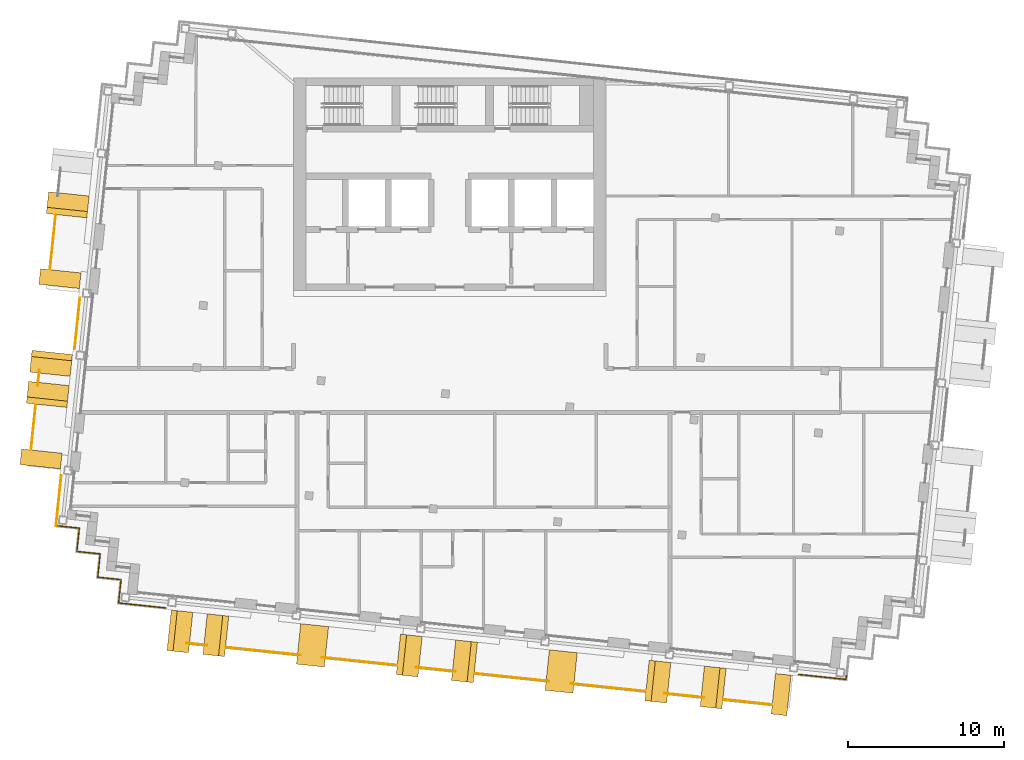
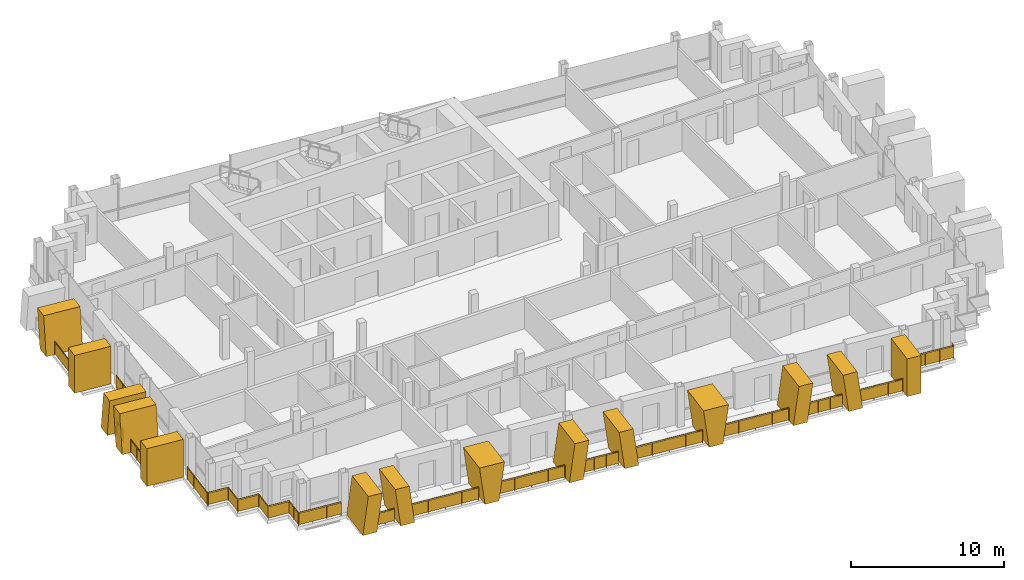
# One storey, part 13 of 16: 15 railings, 14 shading devices.
"""IFC4 building model written with IfcOpenShell, lengths in metres."""

import ifcopenshell
import ifcopenshell.guid

model = None  # the IFC model being written
_history = None  # IfcOwnerHistory: only IFC2X3 demands one
_inside = {}  # id of a spatial element -> (the spatial element, [elements in it])
_under = {}  # id of a project, library or spatial element -> (it, [spatial elements below it])
_declared = {}  # id of a project -> (the project, [libraries it declares])
_typed = {}  # id of a type object -> (the type object, [elements of that type])
_made_of = {}  # id of a material, layer set ... -> (it, [elements and type objects made of it])


def new_model(schema):
    """Start an empty IFC model of exactly this schema.

    Asked for "IFC4X3", IfcOpenShell would pick the latest addendum, in which some entities
    have other attributes; the version numbers below select the first issue.
    IFC2X3 requires an IfcOwnerHistory on every rooted entity: one is made here for all.
    """
    global model, _history
    if schema == "IFC4X3":
        model = ifcopenshell.file(schema_version=(4, 3, 0, 0))
    else:
        model = ifcopenshell.file(schema=schema)
    _inside.clear()
    _under.clear()
    _declared.clear()
    _typed.clear()
    _made_of.clear()
    _history = None
    if model.schema == "IFC2X3":
        org = make("IfcOrganization", Name="unknown")
        user = make(
            "IfcPersonAndOrganization",
            ThePerson=make("IfcPerson", FamilyName="unknown"),
            TheOrganization=org,
        )
        app = make(
            "IfcApplication",
            ApplicationDeveloper=org,
            Version="unknown",
            ApplicationFullName="unknown",
            ApplicationIdentifier="unknown",
        )
        _history = make(
            "IfcOwnerHistory",
            OwningUser=user,
            OwningApplication=app,
            ChangeAction="ADDED",
            CreationDate=0,
        )
    return model


def make(cls, **values):
    """One entity of the class cls with the attributes given. An attribute that is None is left unset."""
    return model.create_entity(
        cls, **{name: value for name, value in values.items() if value is not None}
    )


def rooted(cls, **values):
    """An entity with a GlobalId (a new one), such as an element, a storey or a relation."""
    return make(cls, GlobalId=ifcopenshell.guid.new(), OwnerHistory=_history, **values)


def si_unit(unit_type, name, prefix=None):
    """IfcSIUnit, for example si_unit("LENGTHUNIT", "METRE", prefix="MILLI")."""
    return make("IfcSIUnit", UnitType=unit_type, Prefix=prefix, Name=name)


def assignment(units):
    """IfcUnitAssignment: the units of a project."""
    return None if units is None else make("IfcUnitAssignment", Units=units)


def point(xyz):
    """IfcCartesianPoint."""
    return None if xyz is None else make("IfcCartesianPoint", Coordinates=xyz)


def direction(xyz):
    """IfcDirection."""
    return None if xyz is None else make("IfcDirection", DirectionRatios=xyz)


def frame(location, z_axis=None, x_axis=None):
    """IfcAxis2Placement3D, a coordinate frame: its origin and axes. An axis left out is left unset."""
    return make(
        "IfcAxis2Placement3D",
        Location=point(location),
        Axis=direction(z_axis),
        RefDirection=direction(x_axis),
    )


def frame_2d(location, x_axis=None):
    """IfcAxis2Placement2D, a coordinate frame in the plane: its origin and x axis."""
    return make(
        "IfcAxis2Placement2D", Location=point(location), RefDirection=direction(x_axis)
    )


def origin():
    """The frame at (0, 0, 0) with its axes left unset."""
    return frame((0.0, 0.0, 0.0))


def origin_2d():
    """The frame at (0, 0) in the plane with its x axis left unset."""
    return frame_2d((0.0, 0.0))


def place(relative_to, where):
    """IfcLocalPlacement: puts the frame where relative to a parent placement (None: the world)."""
    return make(
        "IfcLocalPlacement", PlacementRelTo=relative_to, RelativePlacement=where
    )


def context(
    kind, dimensions, precision=None, world=None, true_north=None, identifier=None
):
    """IfcGeometricRepresentationContext, for example the 3D "Model" context."""
    return make(
        "IfcGeometricRepresentationContext",
        ContextIdentifier=identifier,
        ContextType=kind,
        CoordinateSpaceDimension=dimensions,
        Precision=precision,
        WorldCoordinateSystem=world,
        TrueNorth=true_north,
    )


def subcontext(parent, identifier, kind, view, scale=None):
    """IfcGeometricRepresentationSubContext, for example "Body" below "Model"."""
    return make(
        "IfcGeometricRepresentationSubContext",
        ContextIdentifier=identifier,
        ContextType=kind,
        ParentContext=parent,
        TargetScale=scale,
        TargetView=view,
    )


def project(units=None, contexts=None):
    """IfcProject with its units and contexts."""
    return rooted(
        "IfcProject",
        Name="project",
        RepresentationContexts=contexts,
        UnitsInContext=assignment(units),
    )


def spatial(cls, under=None, at=None, **own):
    """A site, building, storey or space (cls), placed at a placement, below another one or the project."""
    s = rooted(cls, ObjectPlacement=at, **own)
    if under is not None:
        _under.setdefault(under.id(), (under, []))[1].append(s)
    return s


def polyline(points):
    """IfcPolyline through the points."""
    return make("IfcPolyline", Points=[point(p) for p in points])


def profile(cls, at=None, kind="AREA", **sizes):
    """A parametric profile (cls). Its sizes go by their IFC names, for example OverallWidth=200.0."""
    return make(cls, ProfileType=kind, Position=at, **sizes)


def rectangle(**sizes):
    """IfcRectangleProfileDef."""
    return profile("IfcRectangleProfileDef", **sizes)


def circle(**sizes):
    """IfcCircleProfileDef."""
    return profile("IfcCircleProfileDef", **sizes)


def outline(outer, holes=None, kind="AREA"):
    """IfcArbitraryClosedProfileDef: a profile drawn as a closed curve; with holes, ...WithVoids."""
    if holes is None:
        return make("IfcArbitraryClosedProfileDef", ProfileType=kind, OuterCurve=outer)
    return make(
        "IfcArbitraryProfileDefWithVoids",
        ProfileType=kind,
        OuterCurve=outer,
        InnerCurves=holes,
    )


def extrude(swept, where, along, depth):
    """IfcExtrudedAreaSolid: the profile swept, set in the frame where, extruded along a direction by depth."""
    return make(
        "IfcExtrudedAreaSolid",
        SweptArea=swept,
        Position=where,
        ExtrudedDirection=direction(along),
        Depth=depth,
    )


def shape(context_of_items, identifier, shape_type, items):
    """IfcShapeRepresentation: the items that make up one representation, for example the "Body"."""
    return make(
        "IfcShapeRepresentation",
        ContextOfItems=context_of_items,
        RepresentationIdentifier=identifier,
        RepresentationType=shape_type,
        Items=items,
    )


def material(Name=None, Category=None):
    """IfcMaterial."""
    return make("IfcMaterial", Name=Name, Category=Category)


def layer(
    of_material, thickness, ventilated=None, Name=None, Category=None, Priority=None
):
    """IfcMaterialLayer: one layer of a wall or slab, of a material (None: an air gap)."""
    return make(
        "IfcMaterialLayer",
        Material=of_material,
        LayerThickness=thickness,
        IsVentilated=ventilated,
        Name=Name,
        Category=Category,
        Priority=Priority,
    )


def layer_set(layers, Name=None):
    """IfcMaterialLayerSet."""
    return make("IfcMaterialLayerSet", MaterialLayers=layers, LayerSetName=Name)


def made_of(thing, what):
    """Note that an element or type object is made of a material, layer set ...; save() writes the relation."""
    if what is not None:
        _made_of.setdefault(what.id(), (what, []))[1].append(thing)
    return thing


def type_object(cls, material=None, **own):
    """A type object (cls), such as IfcWallType, which elements share."""
    return made_of(rooted(cls, **own), material)


def element(
    cls,
    number,
    at=None,
    inside=None,
    cuts=None,
    type_object=None,
    material=None,
    context=None,
    identifier="Body",
    shape_type=None,
    held_by="IfcProductDefinitionShape",
    body=None,
    shapes=None,
    **own,
):
    """One element of the class cls, such as IfcWall. Its Tag is "e" and its number.

    at: its placement. inside: the storey or other place that contains it. cuts: it is an
    opening in that element (IfcRelVoidsElement). A single representation is given by context,
    identifier, shape_type and body (its items); several are given by shapes. held_by: the class
    of the entity that holds the representations. save() writes the other relations.
    """
    e = rooted(cls, Tag="e%d" % number, ObjectPlacement=at, **own)
    if body is not None:
        shapes = [shape(context, identifier, shape_type, body)]
    if shapes is not None:
        e.Representation = make(held_by, Representations=shapes)
    if inside is not None:
        _inside.setdefault(inside.id(), (inside, []))[1].append(e)
    if cuts is not None:
        rooted(
            "IfcRelVoidsElement", RelatingBuildingElement=cuts, RelatedOpeningElement=e
        )
    if type_object is not None:
        _typed.setdefault(type_object.id(), (type_object, []))[1].append(e)
    return made_of(e, material)


def aggregate(whole, parts):
    """IfcRelAggregates: a whole, such as a stair, and the parts it consists of."""
    return rooted("IfcRelAggregates", RelatingObject=whole, RelatedObjects=parts)


def save(model, path):
    """Write the relations noted so far, then the file.

    IfcRelAggregates (storeys below a building ...), IfcRelContainedInSpatialStructure (elements
    in a storey), IfcRelDefinesByType, IfcRelAssociatesMaterial and IfcRelDeclares: one each for
    every whole, place, type object, material and project.
    """
    for whole, parts in _under.values():
        aggregate(whole, parts)
    for where, things in _inside.values():
        rooted(
            "IfcRelContainedInSpatialStructure",
            RelatedElements=things,
            RelatingStructure=where,
        )
    for kind, things in _typed.values():
        rooted("IfcRelDefinesByType", RelatedObjects=things, RelatingType=kind)
    for what, things in _made_of.values():
        rooted("IfcRelAssociatesMaterial", RelatedObjects=things, RelatingMaterial=what)
    for by, libraries in _declared.values():
        rooted("IfcRelDeclares", RelatingContext=by, RelatedDefinitions=libraries)
    model.write(path)


model = new_model("IFC4")

# Units and contexts
model_context = context("Model", 3, precision=1e-05, world=origin(), true_north=direction((0.0, 1.0)))
body_context = subcontext(model_context, "Body", "Model", "MODEL_VIEW")
ifc_project = project(units=[si_unit("LENGTHUNIT", "METRE"), si_unit("AREAUNIT", "SQUARE_METRE"), si_unit("VOLUMEUNIT", "CUBIC_METRE"), si_unit("PLANEANGLEUNIT", "RADIAN"), si_unit("MASSUNIT", "GRAM", prefix="KILO")], contexts=[model_context])

# Site, building, storey
site_placement = place(None, origin())
site = spatial("IfcSite", under=ifc_project, at=site_placement, CompositionType="ELEMENT")
building_placement = place(site_placement, origin())
building = spatial("IfcBuilding", under=site, at=building_placement, Name="Vidyagriha Tower", CompositionType="ELEMENT")
storey_placement = place(building_placement, frame((0.0, 0.0, 253.10009765625)))
storey = spatial("IfcBuildingStorey", under=building, at=storey_placement, Name="L65", CompositionType="ELEMENT", Elevation=253.10009765625)

# Railings
ifc_material_1 = material(Name="Steel ASTM A500 Grade C black painted", Category="steel")
railing_type_1 = type_object("IfcRailingType", Name="Balcony guard 1100", PredefinedType="BALUSTRADE", material=ifc_material_1)
railing_1_placement = place(storey_placement, frame((-25.220703125, 11.20849609375, 0.0)))
element("IfcRailing", 1, at=railing_1_placement, inside=storey, type_object=railing_type_1, Name="Balcony guard L65 R14.1-2", PredefinedType="BALUSTRADE", context=body_context, shape_type="SweptSolid", body=[
    extrude(circle(Radius=0.02490234375, at=origin_2d()), frame((0.0, 0.0, 1.0751953125), z_axis=(-0.104519019879, -0.994522887863, 0.0), x_axis=(0.994522887863, -0.104519019879, 0.0)), (0.0, 0.0, 1.0), 3.449951171875),
    extrude(circle(Radius=0.02001953125, at=origin_2d()), origin(), (0.0, 0.0, 1.0), 1.050048828125),
    extrude(circle(Radius=0.02001953125, at=origin_2d()), frame((-0.1201171875, -1.143798828125, 0.0)), (0.0, 0.0, 1.0), 1.050048828125),
    extrude(circle(Radius=0.02001953125, at=origin_2d()), frame((-0.240478515625, -2.287353515625, 0.0)), (0.0, 0.0, 1.0), 1.050048828125),
    extrude(circle(Radius=0.02001953125, at=origin_2d()), frame((-0.360595703125, -3.43115234375, 0.0)), (0.0, 0.0, 1.0), 1.050048828125),
    extrude(rectangle(XDim=0.010009765625, YDim=0.900146484375, at=origin_2d()), frame((0.0, 0.0, 0.550048828125), z_axis=(-0.104519019879, -0.994522887863, 0.0), x_axis=(0.994522887863, -0.104519019879, 0.0)), (0.0, 0.0, 1.0), 3.449951171875),
])
railing_2_placement = place(storey_placement, frame((-26.260986328125, 1.3095703125, 0.0)))
element("IfcRailing", 2, at=railing_2_placement, inside=storey, type_object=railing_type_1, Name="Balcony guard L65 R14.2-1", PredefinedType="BALUSTRADE", context=body_context, shape_type="SweptSolid", body=[
    extrude(circle(Radius=0.02490234375, at=origin_2d()), frame((0.0, 0.0, 1.0751953125), z_axis=(-0.104710374516, -0.994502758904, 0.0), x_axis=(0.994502758904, -0.104710374516, 0.0)), (0.0, 0.0, 1.0), 0.9931640625),
    extrude(circle(Radius=0.02001953125, at=origin_2d()), origin(), (0.0, 0.0, 1.0), 1.050048828125),
    extrude(circle(Radius=0.02001953125, at=origin_2d()), frame((-0.10400390625, -0.98779296875, 0.0)), (0.0, 0.0, 1.0), 1.050048828125),
    extrude(rectangle(XDim=0.010009765625, YDim=0.900146484375, at=origin_2d()), frame((0.0, 0.0, 0.550048828125), z_axis=(-0.104710374516, -0.994502758904, 0.0), x_axis=(0.994502758904, -0.104710374516, 0.0)), (0.0, 0.0, 1.0), 0.9931640625),
])
railing_3_placement = place(storey_placement, frame((-26.495849609375, -0.924560546875, 0.0)))
element("IfcRailing", 3, at=railing_3_placement, inside=storey, type_object=railing_type_1, Name="Balcony guard L65 R14.2-2", PredefinedType="BALUSTRADE", context=body_context, shape_type="SweptSolid", body=[
    extrude(circle(Radius=0.02490234375, at=origin_2d()), frame((0.0, 0.0, 1.0751953125), z_axis=(-0.104591144512, -0.994515305307, 0.0), x_axis=(0.994515305307, -0.104591144512, 0.0)), (0.0, 0.0, 1.0), 2.85009765625),
    extrude(circle(Radius=0.02001953125, at=origin_2d()), origin(), (0.0, 0.0, 1.0), 1.050048828125),
    extrude(circle(Radius=0.02001953125, at=origin_2d()), frame((-0.099365234375, -0.94482421875, 0.0)), (0.0, 0.0, 1.0), 1.050048828125),
    extrude(circle(Radius=0.02001953125, at=origin_2d()), frame((-0.19873046875, -1.8896484375, 0.0)), (0.0, 0.0, 1.0), 1.050048828125),
    extrude(circle(Radius=0.02001953125, at=origin_2d()), frame((-0.298095703125, -2.83447265625, 0.0)), (0.0, 0.0, 1.0), 1.050048828125),
    extrude(rectangle(XDim=0.010009765625, YDim=0.900146484375, at=origin_2d()), frame((0.0, 0.0, 0.550048828125), z_axis=(-0.104591144512, -0.994515305307, 0.0), x_axis=(0.994515305307, -0.104591144512, 0.0)), (0.0, 0.0, 1.0), 2.85009765625),
])
railing_4_placement = place(storey_placement, frame((-16.83837890625, -16.167724609375, 0.0)))
element("IfcRailing", 4, at=railing_4_placement, inside=storey, type_object=railing_type_1, Name="Balcony guard L65 R21.1-1", PredefinedType="BALUSTRADE", context=body_context, shape_type="SweptSolid", body=[
    extrude(circle(Radius=0.02490234375, at=origin_2d()), frame((0.0, 0.0, 1.0751953125), z_axis=(0.994530041935, -0.104450924788, 0.0), x_axis=(0.104450924788, 0.994530041935, 0.0)), (0.0, 0.0, 1.0), 1.30419921875),
    extrude(circle(Radius=0.02001953125, at=origin_2d()), origin(), (0.0, 0.0, 1.0), 1.050048828125),
    extrude(circle(Radius=0.02001953125, at=origin_2d()), frame((0.6484375, -0.068115234375, 0.0)), (0.0, 0.0, 1.0), 1.050048828125),
    extrude(circle(Radius=0.02001953125, at=origin_2d()), frame((1.297119140625, -0.13623046875, 0.0)), (0.0, 0.0, 1.0), 1.050048828125),
    extrude(rectangle(XDim=0.010009765625, YDim=0.900146484375, at=origin_2d()), frame((0.0, 0.0, 0.550048828125), z_axis=(0.994530041935, -0.104450924788, 0.0), x_axis=(0.104450924788, 0.994530041935, 0.0)), (0.0, 0.0, 1.0), 1.30419921875),
])
for number, where, name in (
    (5, (-14.30029296875, -16.4345703125, 0.0), "Balcony guard L65 R21.1-2"),
    (6, (-8.15771484375, -17.080078125, 0.0), "Balcony guard L65 R21.1-3"),
):
    element("IfcRailing", number, at=place(storey_placement, frame(where)), inside=storey, type_object=railing_type_1, Name=name, PredefinedType="BALUSTRADE", context=body_context, shape_type="SweptSolid", body=[
        extrude(circle(Radius=0.02490234375, at=origin_2d()), frame((0.0, 0.0, 1.0751953125), z_axis=(0.994521134852, -0.10453569884, 0.0), x_axis=(0.10453569884, 0.994521134852, 0.0)), (0.0, 0.0, 1.0), 4.773681640625),
        extrude(circle(Radius=0.02001953125, at=origin_2d()), origin(), (0.0, 0.0, 1.0), 1.050048828125),
        extrude(circle(Radius=0.02001953125, at=origin_2d()), frame((1.18701171875, -0.124755859375, 0.0)), (0.0, 0.0, 1.0), 1.050048828125),
        extrude(circle(Radius=0.02001953125, at=origin_2d()), frame((2.373779296875, -0.24951171875, 0.0)), (0.0, 0.0, 1.0), 1.050048828125),
        extrude(circle(Radius=0.02001953125, at=origin_2d()), frame((3.560546875, -0.374267578125, 0.0)), (0.0, 0.0, 1.0), 1.050048828125),
        extrude(circle(Radius=0.02001953125, at=origin_2d()), frame((4.74755859375, -0.4990234375, 0.0)), (0.0, 0.0, 1.0), 1.050048828125),
        extrude(rectangle(XDim=0.010009765625, YDim=0.900146484375, at=origin_2d()), frame((0.0, 0.0, 0.550048828125), z_axis=(0.994521134852, -0.10453569884, 0.0), x_axis=(0.10453569884, 0.994521134852, 0.0)), (0.0, 0.0, 1.0), 4.773681640625),
    ])
railing_5_placement = place(storey_placement, frame((-2.165771484375, -17.7099609375, 0.0)))
element("IfcRailing", 7, at=railing_5_placement, inside=storey, type_object=railing_type_1, Name="Balcony guard L65 R21.1-4", PredefinedType="BALUSTRADE", context=body_context, shape_type="SweptSolid", body=[
    extrude(circle(Radius=0.02490234375, at=origin_2d()), frame((0.0, 0.0, 1.0751953125), z_axis=(0.994527489205, -0.10447522776, 0.0), x_axis=(0.10447522776, 0.994527489205, 0.0)), (0.0, 0.0, 1.0), 2.547119140625),
    extrude(circle(Radius=0.02001953125, at=origin_2d()), origin(), (0.0, 0.0, 1.0), 1.050048828125),
    extrude(circle(Radius=0.02001953125, at=origin_2d()), frame((0.844482421875, -0.088623046875, 0.0)), (0.0, 0.0, 1.0), 1.050048828125),
    extrude(circle(Radius=0.02001953125, at=origin_2d()), frame((1.688720703125, -0.177490234375, 0.0)), (0.0, 0.0, 1.0), 1.050048828125),
    extrude(circle(Radius=0.02001953125, at=origin_2d()), frame((2.533203125, -0.26611328125, 0.0)), (0.0, 0.0, 1.0), 1.050048828125),
    extrude(rectangle(XDim=0.010009765625, YDim=0.900146484375, at=origin_2d()), frame((0.0, 0.0, 0.550048828125), z_axis=(0.994527489205, -0.10447522776, 0.0), x_axis=(0.10447522776, 0.994527489205, 0.0)), (0.0, 0.0, 1.0), 2.547119140625),
])
railing_6_placement = place(storey_placement, frame((1.612060546875, -18.10693359375, 0.0)))
element("IfcRailing", 8, at=railing_6_placement, inside=storey, type_object=railing_type_1, Name="Balcony guard L65 R21.1-5", PredefinedType="BALUSTRADE", context=body_context, shape_type="SweptSolid", body=[
    extrude(circle(Radius=0.02490234375, at=origin_2d()), frame((0.0, 0.0, 1.0751953125), z_axis=(0.994521134852, -0.10453569884, 0.0), x_axis=(0.10453569884, 0.994521134852, 0.0)), (0.0, 0.0, 1.0), 4.773681640625),
    extrude(circle(Radius=0.02001953125, at=origin_2d()), origin(), (0.0, 0.0, 1.0), 1.050048828125),
    extrude(circle(Radius=0.02001953125, at=origin_2d()), frame((1.18701171875, -0.124755859375, 0.0)), (0.0, 0.0, 1.0), 1.050048828125),
    extrude(circle(Radius=0.02001953125, at=origin_2d()), frame((2.373779296875, -0.24951171875, 0.0)), (0.0, 0.0, 1.0), 1.050048828125),
    extrude(circle(Radius=0.02001953125, at=origin_2d()), frame((3.560546875, -0.374267578125, 0.0)), (0.0, 0.0, 1.0), 1.050048828125),
    extrude(circle(Radius=0.02001953125, at=origin_2d()), frame((4.74755859375, -0.4990234375, 0.0)), (0.0, 0.0, 1.0), 1.050048828125),
    extrude(rectangle(XDim=0.010009765625, YDim=0.900146484375, at=origin_2d()), frame((0.0, 0.0, 0.550048828125), z_axis=(0.994521134852, -0.10453569884, 0.0), x_axis=(0.10453569884, 0.994521134852, 0.0)), (0.0, 0.0, 1.0), 4.773681640625),
])
railing_7_placement = place(storey_placement, frame((7.754638671875, -18.752685546875, 0.0)))
element("IfcRailing", 9, at=railing_7_placement, inside=storey, type_object=railing_type_1, Name="Balcony guard L65 R21.1-6", PredefinedType="BALUSTRADE", context=body_context, shape_type="SweptSolid", body=[
    extrude(circle(Radius=0.02490234375, at=origin_2d()), frame((0.0, 0.0, 1.0751953125), z_axis=(0.994526450542, -0.104485114597, 0.0), x_axis=(0.104485114597, 0.994526450542, 0.0)), (0.0, 0.0, 1.0), 4.773681640625),
    extrude(circle(Radius=0.02001953125, at=origin_2d()), origin(), (0.0, 0.0, 1.0), 1.050048828125),
    extrude(circle(Radius=0.02001953125, at=origin_2d()), frame((1.18701171875, -0.124755859375, 0.0)), (0.0, 0.0, 1.0), 1.050048828125),
    extrude(circle(Radius=0.02001953125, at=origin_2d()), frame((2.373779296875, -0.24951171875, 0.0)), (0.0, 0.0, 1.0), 1.050048828125),
    extrude(circle(Radius=0.02001953125, at=origin_2d()), frame((3.560546875, -0.3740234375, 0.0)), (0.0, 0.0, 1.0), 1.050048828125),
    extrude(circle(Radius=0.02001953125, at=origin_2d()), frame((4.74755859375, -0.498779296875, 0.0)), (0.0, 0.0, 1.0), 1.050048828125),
    extrude(rectangle(XDim=0.010009765625, YDim=0.900146484375, at=origin_2d()), frame((0.0, 0.0, 0.550048828125), z_axis=(0.994526450542, -0.104485114597, 0.0), x_axis=(0.104485114597, 0.994526450542, 0.0)), (0.0, 0.0, 1.0), 4.773681640625),
])
railing_8_placement = place(storey_placement, frame((13.74658203125, -19.38232421875, 0.0)))
element("IfcRailing", 10, at=railing_8_placement, inside=storey, type_object=railing_type_1, Name="Balcony guard L65 R21.1-7", PredefinedType="BALUSTRADE", context=body_context, shape_type="SweptSolid", body=[
    extrude(circle(Radius=0.02490234375, at=origin_2d()), frame((0.0, 0.0, 1.0751953125), z_axis=(0.994517525759, -0.104570028971, 0.0), x_axis=(0.104570028971, 0.994517525759, 0.0)), (0.0, 0.0, 1.0), 2.547119140625),
    extrude(circle(Radius=0.02001953125, at=origin_2d()), origin(), (0.0, 0.0, 1.0), 1.050048828125),
    extrude(circle(Radius=0.02001953125, at=origin_2d()), frame((0.844482421875, -0.0888671875, 0.0)), (0.0, 0.0, 1.0), 1.050048828125),
    extrude(circle(Radius=0.02001953125, at=origin_2d()), frame((1.688720703125, -0.177490234375, 0.0)), (0.0, 0.0, 1.0), 1.050048828125),
    extrude(circle(Radius=0.02001953125, at=origin_2d()), frame((2.533203125, -0.266357421875, 0.0)), (0.0, 0.0, 1.0), 1.050048828125),
    extrude(rectangle(XDim=0.010009765625, YDim=0.900146484375, at=origin_2d()), frame((0.0, 0.0, 0.550048828125), z_axis=(0.994517525759, -0.104570028971, 0.0), x_axis=(0.104570028971, 0.994517525759, 0.0)), (0.0, 0.0, 1.0), 2.547119140625),
])
railing_9_placement = place(storey_placement, frame((17.5244140625, -19.779296875, 0.0)))
element("IfcRailing", 11, at=railing_9_placement, inside=storey, type_object=railing_type_1, Name="Balcony guard L65 R21.1-8", PredefinedType="BALUSTRADE", context=body_context, shape_type="SweptSolid", body=[
    extrude(circle(Radius=0.02490234375, at=origin_2d()), frame((0.0, 0.0, 1.0751953125), z_axis=(0.994518062097, -0.104564927972, 0.0), x_axis=(0.104564927972, 0.994518062097, 0.0)), (0.0, 0.0, 1.0), 3.074951171875),
    extrude(circle(Radius=0.02001953125, at=origin_2d()), origin(), (0.0, 0.0, 1.0), 1.050048828125),
    extrude(circle(Radius=0.02001953125, at=origin_2d()), frame((1.019287109375, -0.107177734375, 0.0)), (0.0, 0.0, 1.0), 1.050048828125),
    extrude(circle(Radius=0.02001953125, at=origin_2d()), frame((2.038818359375, -0.21435546875, 0.0)), (0.0, 0.0, 1.0), 1.050048828125),
    extrude(circle(Radius=0.02001953125, at=origin_2d()), frame((3.05810546875, -0.321533203125, 0.0)), (0.0, 0.0, 1.0), 1.050048828125),
    extrude(rectangle(XDim=0.010009765625, YDim=0.900146484375, at=origin_2d()), frame((0.0, 0.0, 0.550048828125), z_axis=(0.994518062097, -0.104564927972, 0.0), x_axis=(0.104564927972, 0.994518062097, 0.0)), (0.0, 0.0, 1.0), 3.074951171875),
])

# Shading devices
ifc_material_2 = material(Name="Precast concrete C40/50 with buff brick facing", Category="concrete")
ifc_layer_1 = layer(ifc_material_2, 1.0)
ifc_layer_set_1 = layer_set([ifc_layer_1], Name="Precast concrete C40/50 with buff brick facing")
shading_device_type_1 = type_object("IfcShadingDeviceType", Name="Brick-faced blade fin arm leaning 8 degrees", PredefinedType="USERDEFINED", material=ifc_layer_set_1)
shading_device_1_placement = place(storey_placement, frame((-24.373046875, 12.577392578125, 0.0), z_axis=(0.0, 0.0, 1.0), x_axis=(-0.104457839748, -0.994529315664, 0.0)))
element("IfcShadingDevice", 12, at=shading_device_1_placement, inside=storey, type_object=shading_device_type_1, Name="Leaning blade fin L65 R14.330b", ObjectType="BLADE FIN", PredefinedType="USERDEFINED", context=body_context, shape_type="SweptSolid", body=[
    extrude(outline(polyline([(0.39990234375, 0.0), (1.39990234375, 0.0), (1.0, 3.0), (0.0, 3.0), (0.39990234375, 0.0)])), frame((0.0, 1.300048828125, 0.0), z_axis=(0.0, -1.0, 0.0), x_axis=(1.0, 0.0, 0.0)), (0.0, 0.0, 1.0), 2.60009765625),
])
shading_device_2_placement = place(storey_placement, frame((-25.439208984375, 2.433349609375, 0.0), z_axis=(0.0, 0.0, 1.0), x_axis=(-0.104457839748, -0.994529315664, 0.0)))
element("IfcShadingDevice", 13, at=shading_device_2_placement, inside=storey, type_object=shading_device_type_1, Name="Leaning blade fin L65 R14.1630a", ObjectType="BLADE FIN", PredefinedType="USERDEFINED", context=body_context, shape_type="SweptSolid", body=[
    extrude(outline(polyline([(0.0, 0.0), (1.0, 0.0), (1.39990234375, 3.0), (0.39990234375, 3.0), (0.0, 0.0)])), frame((0.0, 1.300048828125, 0.0), z_axis=(0.0, -1.0, 0.0), x_axis=(1.0, 0.0, 0.0)), (0.0, 0.0, 1.0), 2.60009765625),
])
shading_device_3_placement = place(storey_placement, frame((-25.648193359375, 0.444091796875, 0.0), z_axis=(0.0, 0.0, 1.0), x_axis=(-0.104648468085, -0.994509275033, 0.0)))
element("IfcShadingDevice", 14, at=shading_device_3_placement, inside=storey, type_object=shading_device_type_1, Name="Leaning blade fin L65 R14.1630b", ObjectType="BLADE FIN", PredefinedType="USERDEFINED", context=body_context, shape_type="SweptSolid", body=[
    extrude(outline(polyline([(0.39990234375, 0.0), (1.39990234375, 0.0), (1.0, 3.0), (0.0, 3.0), (0.39990234375, 0.0)])), frame((0.0, 1.300048828125, 0.0), z_axis=(0.0, -1.0, 0.0), x_axis=(1.0, 0.0, 0.0)), (0.0, 0.0, 1.0), 2.60009765625),
])
shading_device_4_placement = place(storey_placement, frame((-17.95654296875, -15.346435546875, 0.0), z_axis=(0.0, 0.0, 1.0), x_axis=(0.994525710414, -0.104492159156, 0.0)))
element("IfcShadingDevice", 15, at=shading_device_4_placement, inside=storey, type_object=shading_device_type_1, Name="Leaning blade fin L65 R21.230a", ObjectType="BLADE FIN", PredefinedType="USERDEFINED", context=body_context, shape_type="SweptSolid", body=[
    extrude(outline(polyline([(0.0, 0.0), (1.0, 0.0), (1.3857421875, 3.0), (0.3857421875, 3.0), (0.0, 0.0)])), frame((0.0, 1.300048828125, 0.0), z_axis=(0.0, -1.0, 0.0), x_axis=(1.0, 0.0, 0.0)), (0.0, 0.0, 1.0), 2.60009765625),
])
shading_device_5_placement = place(storey_placement, frame((-15.65478515625, -15.58837890625, 0.0), z_axis=(0.0, 0.0, 1.0), x_axis=(0.994525710414, -0.104492159156, 0.0)))
element("IfcShadingDevice", 16, at=shading_device_5_placement, inside=storey, type_object=shading_device_type_1, Name="Leaning blade fin L65 R21.230b", ObjectType="BLADE FIN", PredefinedType="USERDEFINED", context=body_context, shape_type="SweptSolid", body=[
    extrude(outline(polyline([(0.3857421875, 0.0), (1.3857421875, 0.0), (1.0, 3.0), (0.0, 3.0), (0.3857421875, 0.0)])), frame((0.0, 1.300048828125, 0.0), z_axis=(0.0, -1.0, 0.0), x_axis=(1.0, 0.0, 0.0)), (0.0, 0.0, 1.0), 2.60009765625),
])
shading_device_6_placement = place(storey_placement, frame((-3.287353515625, -16.88818359375, 0.0), z_axis=(0.0, 0.0, 1.0), x_axis=(0.9945274857, -0.104475261123, 0.0)))
element("IfcShadingDevice", 17, at=shading_device_6_placement, inside=storey, type_object=shading_device_type_1, Name="Leaning blade fin L65 R21.1830a", ObjectType="BLADE FIN", PredefinedType="USERDEFINED", context=body_context, shape_type="SweptSolid", body=[
    extrude(outline(polyline([(0.0, 0.0), (1.0, 0.0), (1.39501953125, 3.0), (0.39501953125, 3.0), (0.0, 0.0)])), frame((0.0, 1.300048828125, 0.0), z_axis=(0.0, -1.0, 0.0), x_axis=(1.0, 0.0, 0.0)), (0.0, 0.0, 1.0), 2.60009765625),
])
shading_device_7_placement = place(storey_placement, frame((0.248291015625, -17.259765625, 0.0), z_axis=(0.0, 0.0, 1.0), x_axis=(0.994525575058, -0.104493447432, 0.0)))
element("IfcShadingDevice", 18, at=shading_device_7_placement, inside=storey, type_object=shading_device_type_1, Name="Leaning blade fin L65 R21.1830b", ObjectType="BLADE FIN", PredefinedType="USERDEFINED", context=body_context, shape_type="SweptSolid", body=[
    extrude(outline(polyline([(0.39501953125, 0.0), (1.39501953125, 0.0), (1.0, 3.0), (0.0, 3.0), (0.39501953125, 0.0)])), frame((0.0, 1.300048828125, 0.0), z_axis=(0.0, -1.0, 0.0), x_axis=(1.0, 0.0, 0.0)), (0.0, 0.0, 1.0), 2.60009765625),
])
shading_device_8_placement = place(storey_placement, frame((12.625, -18.560546875, 0.0), z_axis=(0.0, 0.0, 1.0), x_axis=(0.994525575058, -0.104493447432, 0.0)))
element("IfcShadingDevice", 19, at=shading_device_8_placement, inside=storey, type_object=shading_device_type_1, Name="Leaning blade fin L65 R21.3430a", ObjectType="BLADE FIN", PredefinedType="USERDEFINED", context=body_context, shape_type="SweptSolid", body=[
    extrude(outline(polyline([(0.0, 0.0), (1.0, 0.0), (1.39501953125, 3.0), (0.39501953125, 3.0), (0.0, 0.0)])), frame((0.0, 1.300048828125, 0.0), z_axis=(0.0, -1.0, 0.0), x_axis=(1.0, 0.0, 0.0)), (0.0, 0.0, 1.0), 2.60009765625),
])
shading_device_9_placement = place(storey_placement, frame((16.160400390625, -18.93212890625, 0.0), z_axis=(0.0, 0.0, 1.0), x_axis=(0.9945274857, -0.104475261123, 0.0)))
element("IfcShadingDevice", 20, at=shading_device_9_placement, inside=storey, type_object=shading_device_type_1, Name="Leaning blade fin L65 R21.3430b", ObjectType="BLADE FIN", PredefinedType="USERDEFINED", context=body_context, shape_type="SweptSolid", body=[
    extrude(outline(polyline([(0.39501953125, 0.0), (1.39501953125, 0.0), (1.0, 3.0), (0.0, 3.0), (0.39501953125, 0.0)])), frame((0.0, 1.300048828125, 0.0), z_axis=(0.0, -1.0, 0.0), x_axis=(1.0, 0.0, 0.0)), (0.0, 0.0, 1.0), 2.60009765625),
])
ifc_material_3 = material(Name="Precast concrete C40/50 with buff brick facing", Category="concrete")
ifc_layer_2 = layer(ifc_material_3, 1.0)
ifc_layer_set_2 = layer_set([ifc_layer_2], Name="Precast concrete C40/50 with buff brick facing")
shading_device_type_2 = type_object("IfcShadingDeviceType", Name="Brick-faced blade fin forking 8 degrees", PredefinedType="USERDEFINED", material=ifc_layer_set_2)
for number, where, z_axis, x_axis, name in (
    (21, (-9.672119140625, -16.217041015625, 0.0), (0.0, 0.0, 1.0), (0.994512177577, -0.104620880565, 0.0), "Forked blade fin L65 R21.1030a"),
    (22, (6.240234375, -17.889404296875, 0.0), (0.0, 0.0, 1.0), (0.994513670273, -0.104606690222, 0.0), "Forked blade fin L65 R21.2630a"),
):
    element("IfcShadingDevice", number, at=place(storey_placement, frame(where, z_axis=z_axis, x_axis=x_axis)), inside=storey, type_object=shading_device_type_2, Name=name, ObjectType="BLADE FIN", PredefinedType="USERDEFINED", context=body_context, shape_type="SweptSolid", body=[
        extrude(outline(polyline([(0.39501953125, 0.0), (1.39501953125, 0.0), (1.7900390625, 3.0), (0.0, 3.0), (0.39501953125, 0.0)])), frame((0.0, 1.300048828125, 0.0), z_axis=(0.0, -1.0, 0.0), x_axis=(1.0, 0.0, 0.0)), (0.0, 0.0, 1.0), 2.60009765625),
    ])
ifc_material_4 = material(Name="Precast concrete C40/50 with buff brick facing", Category="concrete")
ifc_layer_3 = layer(ifc_material_4, 1.0)
ifc_layer_set_3 = layer_set([ifc_layer_3], Name="Precast concrete C40/50 with buff brick facing")
shading_device_type_3 = type_object("IfcShadingDeviceType", Name="Brick-faced blade fin stem 1000", PredefinedType="USERDEFINED", material=ifc_layer_set_3)
for number, where, z_axis, x_axis, name in (
    (23, (-24.890380859375, 7.654541015625, 0.0), (0.0, 0.0, 1.0), (-0.104481464157, -0.994526834051, 0.0), "Stem blade fin L65 R14.1230a"),
    (24, (-26.102783203125, -3.882080078125, 0.0), (0.0, 0.0, 1.0), (-0.104748335039, -0.99449876134, 0.0), "Stem blade fin L65 R14.2370a"),
    (25, (20.70556640625, -19.409912109375, 0.0), (0.0, 0.0, 1.0), (0.994524168223, -0.104506836238, 0.0), "Stem blade fin L65 R21.4230a"),
):
    element("IfcShadingDevice", number, at=place(storey_placement, frame(where, z_axis=z_axis, x_axis=x_axis)), inside=storey, type_object=shading_device_type_3, Name=name, ObjectType="BLADE FIN", PredefinedType="USERDEFINED", context=body_context, shape_type="SweptSolid", body=[
        extrude(outline(polyline([(0.0, 0.0), (1.0, 0.0), (1.0, 3.0), (0.0, 3.0), (0.0, 0.0)])), frame((0.0, 1.300048828125, 0.0), z_axis=(0.0, -1.0, 0.0), x_axis=(1.0, 0.0, 0.0)), (0.0, 0.0, 1.0), 2.60009765625),
    ])

# Railings
ifc_material_5 = material(Name="Steel ASTM A500 Grade C black painted", Category="steel")
railing_type_2 = type_object("IfcRailingType", Name="Gallery guard 1100", PredefinedType="GUARDRAIL", material=ifc_material_5)
railing_10_placement = place(storey_placement, frame((-18.168212890625, -13.91650390625, 0.0)))
element("IfcRailing", 26, at=railing_10_placement, inside=storey, type_object=railing_type_2, Name="Gallery guard L65 1", PredefinedType="GUARDRAIL", context=body_context, shape_type="SweptSolid", body=[
    extrude(circle(Radius=0.02490234375, at=origin_2d()), frame((0.0, 0.0, 1.0751953125), z_axis=(-0.994518646122, 0.104559373163, 0.0), x_axis=(-0.104559373163, -0.994518646122, 0.0)), (0.0, 0.0, 1.0), 3.0400390625),
    extrude(circle(Radius=0.02490234375, at=origin_2d()), frame((-3.0234375, 0.31787109375, 1.0751953125), z_axis=(0.104481464157, 0.994526834051, 0.0), x_axis=(-0.994526834051, 0.104481464157, 0.0)), (0.0, 0.0, 1.0), 1.500244140625),
    extrude(circle(Radius=0.02490234375, at=origin_2d()), frame((-2.86669921875, 1.809814453125, 1.0751953125), z_axis=(-0.994525057048, 0.104498377516, 0.0), x_axis=(-0.104498377516, -0.994525057048, 0.0)), (0.0, 0.0, 1.0), 1.5),
    extrude(circle(Radius=0.02490234375, at=origin_2d()), frame((-4.3583984375, 1.966552734375, 1.0751953125), z_axis=(0.104498377516, 0.994525057048, 0.0), x_axis=(-0.994525057048, 0.104498377516, 0.0)), (0.0, 0.0, 1.0), 1.5),
    extrude(circle(Radius=0.02490234375, at=origin_2d()), frame((-4.20166015625, 3.458251953125, 1.0751953125), z_axis=(-0.994525057048, 0.104498377516, 0.0), x_axis=(-0.104498377516, -0.994525057048, 0.0)), (0.0, 0.0, 1.0), 1.5),
    extrude(circle(Radius=0.02490234375, at=origin_2d()), frame((-5.693359375, 3.614990234375, 1.0751953125), z_axis=(0.104498377516, 0.994525057048, 0.0), x_axis=(-0.994525057048, 0.104498377516, 0.0)), (0.0, 0.0, 1.0), 1.5),
    extrude(circle(Radius=0.02490234375, at=origin_2d()), frame((-5.53662109375, 5.106689453125, 1.0751953125), z_axis=(-0.994505452921, 0.104684784518, 0.0), x_axis=(-0.104684784518, -0.994505452921, 0.0)), (0.0, 0.0, 1.0), 1.4599609375),
    extrude(circle(Radius=0.02001953125, at=origin_2d()), origin(), (0.0, 0.0, 1.0), 1.050048828125),
    extrude(circle(Radius=0.02001953125, at=origin_2d()), frame((-1.0078125, 0.10595703125, 0.0)), (0.0, 0.0, 1.0), 1.050048828125),
    extrude(circle(Radius=0.02001953125, at=origin_2d()), frame((-2.015625, 0.2119140625, 0.0)), (0.0, 0.0, 1.0), 1.050048828125),
    extrude(circle(Radius=0.02001953125, at=origin_2d()), frame((-3.0234375, 0.31787109375, 0.0)), (0.0, 0.0, 1.0), 1.050048828125),
    extrude(circle(Radius=0.02001953125, at=origin_2d()), frame((-2.945068359375, 1.06396484375, 0.0)), (0.0, 0.0, 1.0), 1.050048828125),
    extrude(circle(Radius=0.02001953125, at=origin_2d()), frame((-2.86669921875, 1.809814453125, 0.0)), (0.0, 0.0, 1.0), 1.050048828125),
    extrude(circle(Radius=0.02001953125, at=origin_2d()), frame((-4.3583984375, 1.966552734375, 0.0)), (0.0, 0.0, 1.0), 1.050048828125),
    extrude(circle(Radius=0.02001953125, at=origin_2d()), frame((-4.20166015625, 3.458251953125, 0.0)), (0.0, 0.0, 1.0), 1.050048828125),
    extrude(circle(Radius=0.02001953125, at=origin_2d()), frame((-5.693359375, 3.614990234375, 0.0)), (0.0, 0.0, 1.0), 1.050048828125),
    extrude(circle(Radius=0.02001953125, at=origin_2d()), frame((-5.53662109375, 5.106689453125, 0.0)), (0.0, 0.0, 1.0), 1.050048828125),
    extrude(circle(Radius=0.02001953125, at=origin_2d()), frame((-6.988525390625, 5.259521484375, 0.0)), (0.0, 0.0, 1.0), 1.050048828125),
    extrude(rectangle(XDim=0.010009765625, YDim=0.900146484375, at=origin_2d()), frame((0.0, 0.0, 0.550048828125), z_axis=(-0.994518646122, 0.104559373163, 0.0), x_axis=(-0.104559373163, -0.994518646122, 0.0)), (0.0, 0.0, 1.0), 3.0400390625),
    extrude(rectangle(XDim=0.010009765625, YDim=0.900146484375, at=origin_2d()), frame((-3.0234375, 0.31787109375, 0.550048828125), z_axis=(0.104481464157, 0.994526834051, 0.0), x_axis=(-0.994526834051, 0.104481464157, 0.0)), (0.0, 0.0, 1.0), 1.500244140625),
    extrude(rectangle(XDim=0.010009765625, YDim=0.900146484375, at=origin_2d()), frame((-2.86669921875, 1.809814453125, 0.550048828125), z_axis=(-0.994525057048, 0.104498377516, 0.0), x_axis=(-0.104498377516, -0.994525057048, 0.0)), (0.0, 0.0, 1.0), 1.5),
    extrude(rectangle(XDim=0.010009765625, YDim=0.900146484375, at=origin_2d()), frame((-4.3583984375, 1.966552734375, 0.550048828125), z_axis=(0.104498377516, 0.994525057048, 0.0), x_axis=(-0.994525057048, 0.104498377516, 0.0)), (0.0, 0.0, 1.0), 1.5),
    extrude(rectangle(XDim=0.010009765625, YDim=0.900146484375, at=origin_2d()), frame((-4.20166015625, 3.458251953125, 0.550048828125), z_axis=(-0.994525057048, 0.104498377516, 0.0), x_axis=(-0.104498377516, -0.994525057048, 0.0)), (0.0, 0.0, 1.0), 1.5),
    extrude(rectangle(XDim=0.010009765625, YDim=0.900146484375, at=origin_2d()), frame((-5.693359375, 3.614990234375, 0.550048828125), z_axis=(0.104498377516, 0.994525057048, 0.0), x_axis=(-0.994525057048, 0.104498377516, 0.0)), (0.0, 0.0, 1.0), 1.5),
    extrude(rectangle(XDim=0.010009765625, YDim=0.900146484375, at=origin_2d()), frame((-5.53662109375, 5.106689453125, 0.550048828125), z_axis=(-0.994505452921, 0.104684784518, 0.0), x_axis=(-0.104684784518, -0.994505452921, 0.0)), (0.0, 0.0, 1.0), 1.4599609375),
])
railing_11_placement = place(storey_placement, frame((-25.15673828125, -8.656982421875, 0.0)))
element("IfcRailing", 27, at=railing_11_placement, inside=storey, type_object=railing_type_2, Name="Gallery guard L65 2", PredefinedType="GUARDRAIL", context=body_context, shape_type="SweptSolid", body=[
    extrude(circle(Radius=0.02490234375, at=origin_2d()), frame((0.0, 0.0, 1.0751953125), z_axis=(-0.99460530117, 0.103731841226, 0.0), x_axis=(-0.103731841226, -0.99460530117, 0.0)), (0.0, 0.0, 1.0), 0.0400390625),
    extrude(circle(Radius=0.02490234375, at=origin_2d()), frame((-0.039794921875, 0.004150390625, 1.0751953125), z_axis=(0.104516113735, 0.994523193279, 0.0), x_axis=(-0.994523193279, 0.104516113735, 0.0)), (0.0, 0.0, 1.0), 3.239990234375),
    extrude(circle(Radius=0.02001953125, at=origin_2d()), origin(), (0.0, 0.0, 1.0), 1.050048828125),
    extrude(circle(Radius=0.02001953125, at=origin_2d()), frame((-0.039794921875, 0.004150390625, 0.0)), (0.0, 0.0, 1.0), 1.050048828125),
    extrude(circle(Radius=0.02001953125, at=origin_2d()), frame((0.072998046875, 1.078125, 0.0)), (0.0, 0.0, 1.0), 1.050048828125),
    extrude(circle(Radius=0.02001953125, at=origin_2d()), frame((0.18603515625, 2.15234375, 0.0)), (0.0, 0.0, 1.0), 1.050048828125),
    extrude(circle(Radius=0.02001953125, at=origin_2d()), frame((0.298828125, 3.226318359375, 0.0)), (0.0, 0.0, 1.0), 1.050048828125),
    extrude(rectangle(XDim=0.010009765625, YDim=0.900146484375, at=origin_2d()), frame((0.0, 0.0, 0.550048828125), z_axis=(-0.99460530117, 0.103731841226, 0.0), x_axis=(-0.103731841226, -0.99460530117, 0.0)), (0.0, 0.0, 1.0), 0.0400390625),
    extrude(rectangle(XDim=0.010009765625, YDim=0.900146484375, at=origin_2d()), frame((-0.039794921875, 0.004150390625, 0.550048828125), z_axis=(0.104516113735, 0.994523193279, 0.0), x_axis=(-0.994523193279, 0.104516113735, 0.0)), (0.0, 0.0, 1.0), 3.239990234375),
])
railing_12_placement = place(storey_placement, frame((-24.009033203125, 2.64501953125, 0.0)))
element("IfcRailing", 28, at=railing_12_placement, inside=storey, type_object=railing_type_2, Name="Gallery guard L65 3", PredefinedType="GUARDRAIL", context=body_context, shape_type="SweptSolid", body=[
    extrude(circle(Radius=0.02490234375, at=origin_2d()), frame((0.0, 0.0, 1.0751953125), z_axis=(0.104506547029, 0.994524198614, 0.0), x_axis=(-0.994524198614, 0.104506547029, 0.0)), (0.0, 0.0, 1.0), 3.280029296875),
    extrude(circle(Radius=0.02001953125, at=origin_2d()), origin(), (0.0, 0.0, 1.0), 1.050048828125),
    extrude(circle(Radius=0.02001953125, at=origin_2d()), frame((0.1142578125, 1.08740234375, 0.0)), (0.0, 0.0, 1.0), 1.050048828125),
    extrude(circle(Radius=0.02001953125, at=origin_2d()), frame((0.228515625, 2.174560546875, 0.0)), (0.0, 0.0, 1.0), 1.050048828125),
    extrude(circle(Radius=0.02001953125, at=origin_2d()), frame((0.3427734375, 3.261962890625, 0.0)), (0.0, 0.0, 1.0), 1.050048828125),
    extrude(rectangle(XDim=0.010009765625, YDim=0.900146484375, at=origin_2d()), frame((0.0, 0.0, 0.550048828125), z_axis=(0.104506547029, 0.994524198614, 0.0), x_axis=(-0.994524198614, 0.104506547029, 0.0)), (0.0, 0.0, 1.0), 3.280029296875),
])
railing_13_placement = place(storey_placement, frame((25.377197265625, -18.251953125, 0.0)))
element("IfcRailing", 29, at=railing_13_placement, inside=storey, type_object=railing_type_2, Name="Gallery guard L65 12", PredefinedType="GUARDRAIL", context=body_context, shape_type="SweptSolid", body=[
    extrude(circle(Radius=0.02490234375, at=origin_2d()), frame((0.0, 0.0, 1.0751953125), z_axis=(-0.104843742972, -0.994488707608, 0.0), x_axis=(0.994488707608, -0.104843742972, 0.0)), (0.0, 0.0, 1.0), 0.23974609375),
    extrude(circle(Radius=0.02490234375, at=origin_2d()), frame((-0.025146484375, -0.238525390625, 1.0751953125), z_axis=(-0.994518646122, 0.104559373163, 0.0), x_axis=(-0.104559373163, -0.994518646122, 0.0)), (0.0, 0.0, 1.0), 3.0400390625),
    extrude(circle(Radius=0.02001953125, at=origin_2d()), origin(), (0.0, 0.0, 1.0), 1.050048828125),
    extrude(circle(Radius=0.02001953125, at=origin_2d()), frame((-0.025146484375, -0.238525390625, 0.0)), (0.0, 0.0, 1.0), 1.050048828125),
    extrude(circle(Radius=0.02001953125, at=origin_2d()), frame((-1.032958984375, -0.132568359375, 0.0)), (0.0, 0.0, 1.0), 1.050048828125),
    extrude(circle(Radius=0.02001953125, at=origin_2d()), frame((-2.040771484375, -0.026611328125, 0.0)), (0.0, 0.0, 1.0), 1.050048828125),
    extrude(circle(Radius=0.02001953125, at=origin_2d()), frame((-3.048583984375, 0.079345703125, 0.0)), (0.0, 0.0, 1.0), 1.050048828125),
    extrude(rectangle(XDim=0.010009765625, YDim=0.900146484375, at=origin_2d()), frame((0.0, 0.0, 0.550048828125), z_axis=(-0.104843742972, -0.994488707608, 0.0), x_axis=(0.994488707608, -0.104843742972, 0.0)), (0.0, 0.0, 1.0), 0.23974609375),
    extrude(rectangle(XDim=0.010009765625, YDim=0.900146484375, at=origin_2d()), frame((-0.025146484375, -0.238525390625, 0.550048828125), z_axis=(-0.994518646122, 0.104559373163, 0.0), x_axis=(-0.104559373163, -0.994518646122, 0.0)), (0.0, 0.0, 1.0), 3.0400390625),
])

save(model, "model.ifc")
